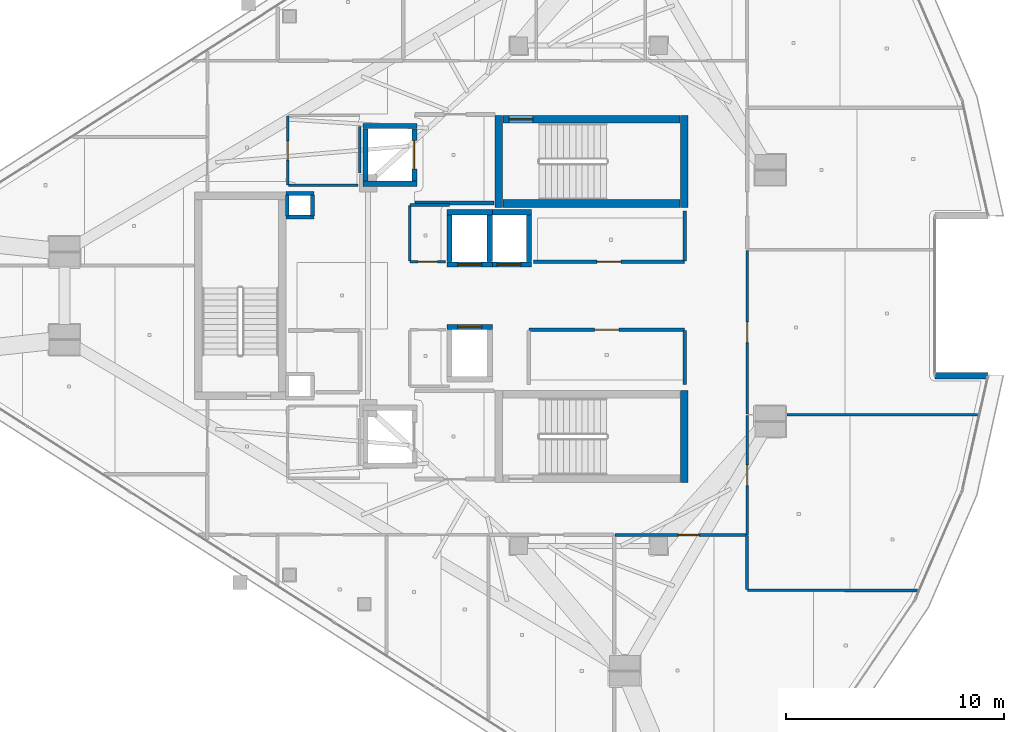
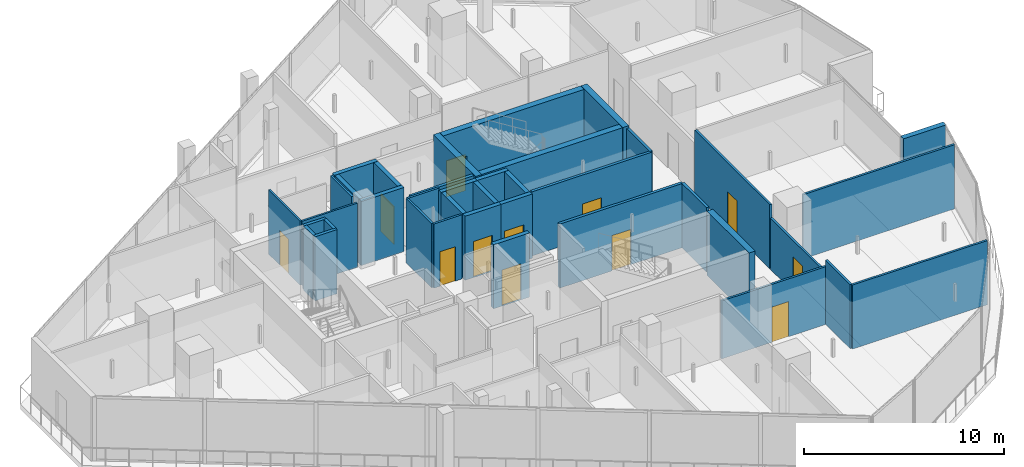
# One storey, part 21 of 29: 39 walls, 12 doors, 12 openings.
"""IFC4 building model written with IfcOpenShell, lengths in metres."""

from ifc_helpers import new_model, si_unit, direction, frame, frame_2d, origin, place, context, subcontext, project, spatial, rectangle, extrude, material, layer, layer_set, type_object, element, fill, save


model = new_model("IFC4")

# Units and contexts
model_context = context("Model", 3, precision=1e-05, world=origin(), true_north=direction((0.0, 1.0)))
body_context = subcontext(model_context, "Body", "Model", "MODEL_VIEW")
ifc_project = project(units=[si_unit("LENGTHUNIT", "METRE"), si_unit("AREAUNIT", "SQUARE_METRE"), si_unit("VOLUMEUNIT", "CUBIC_METRE"), si_unit("PLANEANGLEUNIT", "RADIAN"), si_unit("MASSUNIT", "GRAM", prefix="KILO")], contexts=[model_context])

# Site, building, storey
site_placement = place(None, origin())
site = spatial("IfcSite", under=ifc_project, at=site_placement, CompositionType="ELEMENT")
building_placement = place(site_placement, origin())
building = spatial("IfcBuilding", under=site, at=building_placement, Name="Qorvath Tower", CompositionType="ELEMENT")
storey_placement = place(building_placement, frame((0.0, 0.0, 285.0)))
storey = spatial("IfcBuildingStorey", under=building, at=storey_placement, Name="L66", CompositionType="ELEMENT", Elevation=285.0)

# Walls
ifc_material_1 = material(Name="Gypsum shaftliner on steel studs", Category="steel")
ifc_layer_1 = layer(ifc_material_1, 0.179931640625)
ifc_layer_set_1 = layer_set([ifc_layer_1], Name="FW-LOBBY")
wall_type_1 = type_object("IfcWallType", Name="FW-LOBBY", PredefinedType="PARTITIONING", material=ifc_layer_set_1)
for number, where, z_axis, x_axis, name in (
    (1, (-32.989990234375, 3.594970703125, 0.0), (0.0, 0.0, 1.0), (-1.0, 0.0, 0.0), "MEP Riser Shaft Enclosure Wall N-L66-S"),
    (2, (-34.260009765625, 4.675048828125, 0.0), (0.0, 0.0, 1.0), (1.0, 0.0, 0.0), "MEP Riser Shaft Enclosure Wall N-L66-N"),
):
    element("IfcWall", number, at=place(storey_placement, frame(where, z_axis=z_axis, x_axis=x_axis)), inside=storey, type_object=wall_type_1, Name=name, PredefinedType="PARTITIONING", context=body_context, shape_type="SweptSolid", body=[
        extrude(rectangle(XDim=1.27001953125, YDim=0.179931640625, at=frame_2d((0.635009765625, 0.0))), origin(), (0.0, 0.0, 1.0), 3.909912109375),
    ])
for number, where, z_axis, x_axis, name in (
    (3, (-34.205078125, 3.659912109375, 0.0), (0.0, 0.0, 1.0), (0.0, 1.0, 0.0), "MEP Riser Shaft Enclosure Wall N-L66-W"),
    (4, (-33.044921875, 4.610107421875, 0.0), (0.0, 0.0, 1.0), (0.0, -1.0, 0.0), "MEP Riser Shaft Enclosure Wall N-L66-E"),
):
    element("IfcWall", number, at=place(storey_placement, frame(where, z_axis=z_axis, x_axis=x_axis)), inside=storey, type_object=wall_type_1, Name=name, PredefinedType="PARTITIONING", context=body_context, shape_type="SweptSolid", body=[
        extrude(rectangle(XDim=0.9501953125, YDim=0.179931640625, at=frame_2d((0.47509765625, 0.0))), origin(), (0.0, 0.0, 1.0), 3.909912109375),
    ])
wall_1_placement = place(storey_placement, frame((-28.35498046875, 4.25, 0.0), z_axis=(0.0, 0.0, 1.0), x_axis=(1.0, 0.0, 0.0)))
element("IfcWall", 5, at=wall_1_placement, inside=storey, type_object=wall_type_1, Name="Interior Partition IW-T1-L66-001", PredefinedType="PARTITIONING", context=body_context, shape_type="SweptSolid", body=[
    extrude(rectangle(XDim=3.6220703125, YDim=0.179931640625, at=frame_2d((1.81103515625, 0.0))), origin(), (0.0, 0.0, 1.0), 3.909912109375),
])

# Wall, opening, door
ifc_material_2 = material(Name="Double acoustic gypsum board on steel studs", Category="steel")
ifc_layer_2 = layer(ifc_material_2, 0.159912109375)
ifc_layer_set_2 = layer_set([ifc_layer_2], Name="IW-ACOUSTIC-160")
wall_type_2 = type_object("IfcWallType", Name="IW-ACOUSTIC-160", PredefinedType="PARTITIONING", material=ifc_layer_set_2)
wall_2_placement = place(storey_placement, frame((-22.933837890625, 1.56005859375, 0.0), z_axis=(0.0, 0.0, 1.0), x_axis=(1.0, 0.0, 0.0)))
wall_2 = element("IfcWall", 6, at=wall_2_placement, inside=storey, type_object=wall_type_2, Name="Interior Partition IW-T1-L66-013", PredefinedType="PARTITIONING", context=body_context, shape_type="SweptSolid", body=[
    extrude(rectangle(XDim=6.908935546875, YDim=0.159912109375, at=frame_2d((3.45458984375, 0.0))), origin(), (0.0, 0.0, 1.0), 3.909912109375),
])
opening_1_placement = place(wall_2_placement, frame((2.904541015625, 0.0, 0.0)))
opening_1 = element("IfcOpeningElement", 7, at=opening_1_placement, cuts=wall_2, Name="Opening D-T1-L66-03", PredefinedType="OPENING", context=body_context, shape_type="SweptSolid", body=[
    extrude(rectangle(XDim=1.10009765625, YDim=2.14990234375, at=frame_2d((0.550048828125, 1.074951171875))), frame((0.0, 0.08984375, 0.0), z_axis=(0.0, -1.0, 0.0), x_axis=(1.0, 0.0, 0.0)), (0.0, 0.0, 1.0), 0.179931640625),
])
ifc_material_3 = material(Name="Anodised aluminium acoustic framed glass", Category="aluminium")
door_type_1 = type_object("IfcDoorType", Name="D-03", OperationType="NOTDEFINED", PredefinedType="DOOR", material=ifc_material_3)
door_1_placement = place(opening_1_placement, origin())
door_1 = element("IfcDoor", 8, at=door_1_placement, inside=storey, type_object=door_type_1, Name="L66-RCN North Executive Support Office Door D-T1-L66-03", OperationType="SINGLE_SWING_RIGHT", OverallHeight=2.14990234375, OverallWidth=1.10009765625, PredefinedType="DOOR", context=body_context, shape_type="SweptSolid", body=[
    extrude(rectangle(XDim=1.10009765625, YDim=2.14990234375, at=frame_2d((0.550048828125, 1.074951171875))), frame((0.0, 0.02490234375, 0.0), z_axis=(0.0, -1.0, 0.0), x_axis=(1.0, 0.0, 0.0)), (0.0, 0.0, 1.0), 0.050048828125),
])
fill(opening_1, door_1)

# Walls
wall_3_placement = place(storey_placement, frame((-16.0, 1.585205078125, 0.0), z_axis=(0.0, 0.0, 1.0), x_axis=(0.0, 1.0, 0.0)))
element("IfcWall", 9, at=wall_3_placement, inside=storey, type_object=wall_type_2, Name="Interior Partition IW-T1-L66-014", PredefinedType="PARTITIONING", context=body_context, shape_type="SweptSolid", body=[
    extrude(rectangle(XDim=2.30224609375, YDim=0.159912109375, at=frame_2d((1.151123046875, 0.0))), origin(), (0.0, 0.0, 1.0), 3.909912109375),
])
wall_4_placement = place(storey_placement, frame((-16.0, -4.0751953125, 0.0), z_axis=(0.0, 0.0, 1.0), x_axis=(0.0, 1.0, 0.0)))
element("IfcWall", 10, at=wall_4_placement, inside=storey, type_object=wall_type_2, Name="Interior Partition IW-T1-L66-016", PredefinedType="PARTITIONING", context=body_context, shape_type="SweptSolid", body=[
    extrude(rectangle(XDim=2.489990234375, YDim=0.159912109375, at=frame_2d((1.2451171875, 0.0))), origin(), (0.0, 0.0, 1.0), 3.909912109375),
])

# Wall, opening, door
wall_5_placement = place(storey_placement, frame((-16.02490234375, -1.56005859375, 0.0), z_axis=(0.0, 0.0, 1.0), x_axis=(-1.0, 0.0, 0.0)))
wall_5 = element("IfcWall", 11, at=wall_5_placement, inside=storey, type_object=wall_type_2, Name="Interior Partition IW-T1-L66-017", PredefinedType="PARTITIONING", context=body_context, shape_type="SweptSolid", body=[
    extrude(rectangle(XDim=7.10009765625, YDim=0.159912109375, at=frame_2d((3.550048828125, 0.0))), origin(), (0.0, 0.0, 1.0), 3.909912109375),
])
opening_2_placement = place(wall_5_placement, frame((3.0, 0.0, 0.0)))
opening_2 = element("IfcOpeningElement", 12, at=opening_2_placement, cuts=wall_5, Name="Opening D-T1-L66-04", PredefinedType="OPENING", context=body_context, shape_type="SweptSolid", body=[
    extrude(rectangle(XDim=1.10009765625, YDim=2.14990234375, at=frame_2d((0.550048828125, 1.074951171875))), frame((0.0, 0.08984375, 0.0), z_axis=(0.0, -1.0, 0.0), x_axis=(1.0, 0.0, 0.0)), (0.0, 0.0, 1.0), 0.179931640625),
])
door_2_placement = place(opening_2_placement, origin())
door_2 = element("IfcDoor", 13, at=door_2_placement, inside=storey, type_object=door_type_1, Name="L66-RCS South Executive Support Office Door D-T1-L66-04", OperationType="SINGLE_SWING_LEFT", OverallHeight=2.14990234375, OverallWidth=1.10009765625, PredefinedType="DOOR", context=body_context, shape_type="SweptSolid", body=[
    extrude(rectangle(XDim=1.10009765625, YDim=2.14990234375, at=frame_2d((0.550048828125, 1.074951171875))), frame((0.0, 0.02490234375, 0.0), z_axis=(0.0, -1.0, 0.0), x_axis=(1.0, 0.0, 0.0)), (0.0, 0.0, 1.0), 0.050048828125),
])
fill(opening_2, door_2)

# Wall
ifc_material_4 = material(Name="Gypsum board on metal studs with mineral wool", Category="gypsum")
ifc_layer_3 = layer(ifc_material_4, 0.125)
ifc_layer_set_3 = layer_set([ifc_layer_3], Name="IW-PART-125")
wall_type_3 = type_object("IfcWallType", Name="IW-PART-125", PredefinedType="PARTITIONING", material=ifc_layer_set_3)
wall_6_placement = place(storey_placement, frame((-28.60009765625, 4.125, 0.0), z_axis=(0.0, 0.0, 1.0), x_axis=(0.0, -1.0, 0.0)))
element("IfcWall", 14, at=wall_6_placement, inside=storey, type_object=wall_type_3, Name="Interior Partition IW-T1-L66-018", PredefinedType="PARTITIONING", context=body_context, shape_type="SweptSolid", body=[
    extrude(rectangle(XDim=2.539794921875, YDim=0.125, at=frame_2d((1.27001953125, 0.0))), origin(), (0.0, 0.0, 1.0), 3.909912109375),
])

# Wall, opening, door
wall_7_placement = place(storey_placement, frame((-28.5751953125, 1.56005859375, 0.0), z_axis=(0.0, 0.0, 1.0), x_axis=(1.0, 0.0, 0.0)))
wall_7 = element("IfcWall", 15, at=wall_7_placement, inside=storey, type_object=wall_type_3, Name="Interior Partition IW-T1-L66-019", PredefinedType="PARTITIONING", context=body_context, shape_type="SweptSolid", body=[
    extrude(rectangle(XDim=1.609130859375, YDim=0.125, at=frame_2d((0.8046875, 0.0))), origin(), (0.0, 0.0, 1.0), 3.909912109375),
])
opening_3_placement = place(wall_7_placement, frame((0.364501953125, 0.0, 0.0)))
opening_3 = element("IfcOpeningElement", 16, at=opening_3_placement, cuts=wall_7, Name="Opening D-T1-L66-05", PredefinedType="OPENING", context=body_context, shape_type="SweptSolid", body=[
    extrude(rectangle(XDim=0.8798828125, YDim=2.10009765625, at=frame_2d((0.43994140625, 1.050048828125))), frame((0.0, 0.072509765625, 0.0), z_axis=(0.0, -1.0, 0.0), x_axis=(1.0, 0.0, 0.0)), (0.0, 0.0, 1.0), 0.14501953125),
])
ifc_material_5 = material(Name="Solid-core oak with acoustic drop seal", Category="wood")
door_type_2 = type_object("IfcDoorType", Name="D-02", OperationType="NOTDEFINED", PredefinedType="DOOR", material=ifc_material_5)
door_3_placement = place(opening_3_placement, origin())
door_3 = element("IfcDoor", 17, at=door_3_placement, inside=storey, type_object=door_type_2, Name="L66-RCWN Executive Archive Suite Door D-T1-L66-05", OperationType="SINGLE_SWING_RIGHT", OverallHeight=2.10009765625, OverallWidth=0.8798828125, PredefinedType="DOOR", context=body_context, shape_type="SweptSolid", body=[
    extrude(rectangle(XDim=0.8798828125, YDim=2.10009765625, at=frame_2d((0.43994140625, 1.050048828125))), frame((0.0, 0.02490234375, 0.0), z_axis=(0.0, -1.0, 0.0), x_axis=(1.0, 0.0, 0.0)), (0.0, 0.0, 1.0), 0.050048828125),
])
fill(opening_3, door_3)

# Walls
wall_8_placement = place(storey_placement, frame((-26.77490234375, 4.14990234375, 0.0), z_axis=(0.0, 0.0, 1.0), x_axis=(-1.0, 0.0, 0.0)))
element("IfcWall", 18, at=wall_8_placement, inside=storey, type_object=wall_type_3, Name="Interior Partition IW-T1-L66-020", PredefinedType="PARTITIONING", context=body_context, shape_type="SweptSolid", body=[
    extrude(rectangle(XDim=1.80029296875, YDim=0.125, at=frame_2d((0.900146484375, 0.0))), origin(), (0.0, 0.0, 1.0), 3.909912109375),
])
wall_9_placement = place(storey_placement, frame((-5.35595703125, -13.49658203125, 0.0), z_axis=(0.0, 0.0, 1.0), x_axis=(-0.999998664878, 0.001634087442, 0.0)))
element("IfcWall", 19, at=wall_9_placement, inside=storey, type_object=wall_type_3, Name="Interior Partition IW-T1-L66-045", PredefinedType="PARTITIONING", context=body_context, shape_type="SweptSolid", body=[
    extrude(rectangle(XDim=7.76904296875, YDim=0.125, at=frame_2d((3.884521484375, 0.0))), origin(), (0.0, 0.0, 1.0), 3.909912109375),
])
wall_10_placement = place(storey_placement, frame((-13.14990234375, -13.458984375, 0.0), z_axis=(0.0, 0.0, 1.0), x_axis=(0.0, 1.0, 0.0)))
element("IfcWall", 20, at=wall_10_placement, inside=storey, type_object=wall_type_3, Name="Interior Partition IW-T1-L66-046", PredefinedType="PARTITIONING", context=body_context, shape_type="SweptSolid", body=[
    extrude(rectangle(XDim=2.47607421875, YDim=0.125, at=frame_2d((1.238037109375, 0.0))), origin(), (0.0, 0.0, 1.0), 3.909912109375),
])

# Wall, opening, door
wall_11_placement = place(storey_placement, frame((-13.1748046875, -10.9580078125, 0.0), z_axis=(0.0, 0.0, 1.0), x_axis=(-0.999999486867, 0.001013047539, 0.0)))
wall_11 = element("IfcWall", 21, at=wall_11_placement, inside=storey, type_object=wall_type_3, Name="Interior Partition IW-T1-L66-047", PredefinedType="PARTITIONING", context=body_context, shape_type="SweptSolid", body=[
    extrude(rectangle(XDim=6.02490234375, YDim=0.125, at=frame_2d((3.012451171875, 0.0))), origin(), (0.0, 0.0, 1.0), 3.52880859375),
])
opening_4_placement = place(wall_11_placement, frame((2.175048828125, 0.0, 0.0)))
opening_4 = element("IfcOpeningElement", 22, at=opening_4_placement, cuts=wall_11, Name="Opening D-T1-L66-15", PredefinedType="OPENING", context=body_context, shape_type="SweptSolid", body=[
    extrude(rectangle(XDim=0.949951171875, YDim=2.14990234375, at=frame_2d((0.47509765625, 1.074951171875))), frame((0.0, 0.072509765625, 0.0), z_axis=(0.0, -1.0, 0.0), x_axis=(1.0, 0.0, 0.0)), (0.0, 0.0, 1.0), 0.14501953125),
])
ifc_material_6 = material(Name="Solid-core American white oak veneer", Category="wood")
door_type_3 = type_object("IfcDoorType", Name="D-01", OperationType="NOTDEFINED", PredefinedType="DOOR", material=ifc_material_6)
door_4_placement = place(opening_4_placement, origin())
door_4 = element("IfcDoor", 23, at=door_4_placement, inside=storey, type_object=door_type_3, Name="L66-08 Quantitative Research Studio Door D-T1-L66-15", OperationType="SINGLE_SWING_RIGHT", OverallHeight=2.14990234375, OverallWidth=0.949951171875, PredefinedType="DOOR", context=body_context, shape_type="SweptSolid", body=[
    extrude(rectangle(XDim=0.949951171875, YDim=2.14990234375, at=frame_2d((0.47509765625, 1.074951171875))), frame((0.0, 0.02490234375, 0.0), z_axis=(0.0, -1.0, 0.0), x_axis=(1.0, 0.0, 0.0)), (0.0, 0.0, 1.0), 0.050048828125),
])
fill(opening_4, door_4)

# Wall
wall_12_placement = place(storey_placement, frame((-2.59765625, -5.449951171875, 0.0), z_axis=(0.0, 0.0, 1.0), x_axis=(-1.0, 0.0, 0.0)))
element("IfcWall", 24, at=wall_12_placement, inside=storey, type_object=wall_type_3, Name="Interior Partition IW-T1-L66-048", PredefinedType="PARTITIONING", context=body_context, shape_type="SweptSolid", body=[
    extrude(rectangle(XDim=8.734130859375, YDim=0.125, at=frame_2d((4.3671875, 0.0))), origin(), (0.0, 0.0, 1.0), 3.909912109375),
])

# Wall, opening, door
wall_13_placement = place(storey_placement, frame((-13.14208984375, -5.47509765625, 0.0), z_axis=(0.0, 0.0, 1.0), x_axis=(0.0, -1.0, 0.0)))
wall_13 = element("IfcWall", 25, at=wall_13_placement, inside=storey, type_object=wall_type_3, Name="Interior Partition IW-T1-L66-049", PredefinedType="PARTITIONING", context=body_context, shape_type="SweptSolid", body=[
    extrude(rectangle(XDim=5.48291015625, YDim=0.125, at=frame_2d((2.741455078125, 0.0))), origin(), (0.0, 0.0, 1.0), 3.1298828125),
])
opening_5_placement = place(wall_13_placement, frame((2.266357421875, 0.0, 0.0)))
opening_5 = element("IfcOpeningElement", 26, at=opening_5_placement, cuts=wall_13, Name="Opening D-T1-L66-16", PredefinedType="OPENING", context=body_context, shape_type="SweptSolid", body=[
    extrude(rectangle(XDim=0.949951171875, YDim=2.14990234375, at=frame_2d((0.47509765625, 1.074951171875))), frame((0.0, 0.072509765625, 0.0), z_axis=(0.0, -1.0, 0.0), x_axis=(1.0, 0.0, 0.0)), (0.0, 0.0, 1.0), 0.14501953125),
])
door_5_placement = place(opening_5_placement, origin())
door_5 = element("IfcDoor", 27, at=door_5_placement, inside=storey, type_object=door_type_3, Name="L66-09 Engineering Documentation Suite Door D-T1-L66-16", OperationType="SINGLE_SWING_LEFT", OverallHeight=2.14990234375, OverallWidth=0.949951171875, PredefinedType="DOOR", context=body_context, shape_type="SweptSolid", body=[
    extrude(rectangle(XDim=0.949951171875, YDim=2.14990234375, at=frame_2d((0.47509765625, 1.074951171875))), frame((0.0, 0.02490234375, 0.0), z_axis=(0.0, -1.0, 0.0), x_axis=(1.0, 0.0, 0.0)), (0.0, 0.0, 1.0), 0.050048828125),
])
fill(opening_5, door_5)

wall_14_placement = place(storey_placement, frame((-13.14208984375, 2.07568359375, 0.0), z_axis=(0.0, 0.0, 1.0), x_axis=(0.0, -1.0, 0.0)))
wall_14 = element("IfcWall", 28, at=wall_14_placement, inside=storey, type_object=wall_type_3, Name="Interior Partition IW-T1-L66-051", PredefinedType="PARTITIONING", context=body_context, shape_type="SweptSolid", body=[
    extrude(rectangle(XDim=7.49267578125, YDim=0.125, at=frame_2d((3.746337890625, 0.0))), origin(), (0.0, 0.0, 1.0), 3.909912109375),
])
opening_6_placement = place(wall_14_placement, frame((3.271240234375, 0.0, 0.0)))
opening_6 = element("IfcOpeningElement", 29, at=opening_6_placement, cuts=wall_14, Name="Opening D-T1-L66-17", PredefinedType="OPENING", context=body_context, shape_type="SweptSolid", body=[
    extrude(rectangle(XDim=0.949951171875, YDim=2.14990234375, at=frame_2d((0.47509765625, 1.074951171875))), frame((0.0, 0.072509765625, 0.0), z_axis=(0.0, -1.0, 0.0), x_axis=(1.0, 0.0, 0.0)), (0.0, 0.0, 1.0), 0.14501953125),
])
door_6_placement = place(opening_6_placement, origin())
door_6 = element("IfcDoor", 30, at=door_6_placement, inside=storey, type_object=door_type_3, Name="L66-10 Open Workplace Studio Door D-T1-L66-17", OperationType="SINGLE_SWING_RIGHT", OverallHeight=2.14990234375, OverallWidth=0.949951171875, PredefinedType="DOOR", context=body_context, shape_type="SweptSolid", body=[
    extrude(rectangle(XDim=0.949951171875, YDim=2.14990234375, at=frame_2d((0.47509765625, 1.074951171875))), frame((0.0, 0.02490234375, 0.0), z_axis=(0.0, -1.0, 0.0), x_axis=(1.0, 0.0, 0.0)), (0.0, 0.0, 1.0), 0.050048828125),
])
fill(opening_6, door_6)

ifc_material_7 = material(Name="Moisture-resistant cement board on metal studs", Category="gypsum")
ifc_layer_4 = layer(ifc_material_7, 0.110107421875)
ifc_layer_set_4 = layer_set([ifc_layer_4], Name="IW-WC-110")
wall_type_4 = type_object("IfcWallType", Name="IW-WC-110", PredefinedType="PARTITIONING", material=ifc_layer_set_4)
wall_15_placement = place(storey_placement, frame((-34.179931640625, 8.22509765625, 0.0), z_axis=(0.0, 0.0, 1.0), x_axis=(0.0, -1.0, 0.0)))
wall_15 = element("IfcWall", 31, at=wall_15_placement, inside=storey, type_object=wall_type_4, Name="Interior Partition IW-T1-L66-005", PredefinedType="PARTITIONING", context=body_context, shape_type="SweptSolid", body=[
    extrude(rectangle(XDim=3.150146484375, YDim=0.110107421875, at=frame_2d((1.5751953125, 0.0))), origin(), (0.0, 0.0, 1.0), 3.909912109375),
])
opening_7_placement = place(wall_15_placement, frame((1.135009765625, 0.0, 0.0)))
opening_7 = element("IfcOpeningElement", 32, at=opening_7_placement, cuts=wall_15, Name="Opening D-T1-L66-01", PredefinedType="OPENING", context=body_context, shape_type="SweptSolid", body=[
    extrude(rectangle(XDim=0.8798828125, YDim=2.10009765625, at=frame_2d((0.43994140625, 1.050048828125))), frame((0.0, 0.06494140625, 0.0), z_axis=(0.0, -1.0, 0.0), x_axis=(1.0, 0.0, 0.0)), (0.0, 0.0, 1.0), 0.130126953125),
])
door_7_placement = place(opening_7_placement, origin())
door_7 = element("IfcDoor", 33, at=door_7_placement, inside=storey, type_object=door_type_2, Name="Accessible WC North L66 Door D-T1-L66-01", OperationType="SINGLE_SWING_RIGHT", OverallHeight=2.10009765625, OverallWidth=0.8798828125, PredefinedType="DOOR", context=body_context, shape_type="SweptSolid", body=[
    extrude(rectangle(XDim=0.8798828125, YDim=2.10009765625, at=frame_2d((0.43994140625, 1.050048828125))), frame((0.0, 0.02490234375, 0.0), z_axis=(0.0, -1.0, 0.0), x_axis=(1.0, 0.0, 0.0)), (0.0, 0.0, 1.0), 0.050048828125),
])
fill(opening_7, door_7)

# Walls
wall_16_placement = place(storey_placement, frame((-34.15478515625, 5.050048828125, 0.0), z_axis=(0.0, 0.0, 1.0), x_axis=(1.0, 0.0, 0.0)))
element("IfcWall", 34, at=wall_16_placement, inside=storey, type_object=wall_type_4, Name="Interior Partition IW-T1-L66-006", PredefinedType="PARTITIONING", context=body_context, shape_type="SweptSolid", body=[
    extrude(rectangle(XDim=3.189697265625, YDim=0.110107421875, at=frame_2d((1.5947265625, 0.0))), origin(), (0.0, 0.0, 1.0), 3.909912109375),
])
wall_17_placement = place(storey_placement, frame((-30.8798828125, 5.614990234375, 0.0), z_axis=(0.0, 0.0, 1.0), x_axis=(0.0, 1.0, 0.0)))
element("IfcWall", 35, at=wall_17_placement, inside=storey, type_object=wall_type_4, Name="Interior Partition IW-T1-L66-007", PredefinedType="PARTITIONING", context=body_context, shape_type="SweptSolid", body=[
    extrude(rectangle(XDim=2.1279296875, YDim=0.110107421875, at=frame_2d((1.06396484375, 0.0))), origin(), (0.0, 0.0, 1.0), 3.909912109375),
])
ifc_material_8 = material(Name="Concrete C60/75", Category="concrete")
ifc_layer_5 = layer(ifc_material_8, 0.260009765625)
ifc_layer_set_5 = layer_set([ifc_layer_5], Name="SW-SHAFT")
wall_type_5 = type_object("IfcWallType", Name="SW-SHAFT", PredefinedType="SHEAR", material=ifc_layer_set_5)
for number, where, z_axis, x_axis, name in (
    (36, (-28.260009765625, 5.1298828125, 0.0), (0.0, 0.0, 1.0), (-1.0, 0.0, 0.0), "Hoistway Wall FSAE-1 L66 S"),
    (37, (-30.739990234375, 7.77001953125, 0.0), (0.0, 0.0, 1.0), (1.0, 0.0, 0.0), "Hoistway Wall FSAE-1 L66 N"),
):
    element("IfcWall", number, at=place(storey_placement, frame(where, z_axis=z_axis, x_axis=x_axis)), inside=storey, type_object=wall_type_5, Name=name, PredefinedType="SHEAR", context=body_context, shape_type="SweptSolid", body=[
        extrude(rectangle(XDim=2.47998046875, YDim=0.239990234375, at=frame_2d((1.239990234375, 0.0))), origin(), (0.0, 0.0, 1.0), 3.909912109375),
    ])
wall_18_placement = place(storey_placement, frame((-30.6201171875, 5.261962890625, 0.0), z_axis=(0.0, 0.0, 1.0), x_axis=(0.0, 1.0, 0.0)))
element("IfcWall", 38, at=wall_18_placement, inside=storey, type_object=wall_type_5, Name="Hoistway Wall FSAE-1 L66 W", PredefinedType="SHEAR", context=body_context, shape_type="SweptSolid", body=[
    extrude(rectangle(XDim=2.3759765625, YDim=0.239990234375, at=frame_2d((1.18798828125, 0.0))), origin(), (0.0, 0.0, 1.0), 3.909912109375),
])

# Wall, opening, door
wall_19_placement = place(storey_placement, frame((-28.3798828125, 7.637939453125, 0.0), z_axis=(0.0, 0.0, 1.0), x_axis=(0.0, -1.0, 0.0)))
wall_19 = element("IfcWall", 39, at=wall_19_placement, inside=storey, type_object=wall_type_5, Name="Hoistway Wall FSAE-1 L66 E", PredefinedType="SHEAR", context=body_context, shape_type="SweptSolid", body=[
    extrude(rectangle(XDim=2.3759765625, YDim=0.239990234375, at=frame_2d((1.18798828125, 0.0))), origin(), (0.0, 0.0, 1.0), 3.909912109375),
])
opening_8_placement = place(wall_19_placement, frame((0.537841796875, 0.0, 0.0)))
opening_8 = element("IfcOpeningElement", 40, at=opening_8_placement, cuts=wall_19, Name="Opening LD-FSAE-1-L66", PredefinedType="OPENING", context=body_context, shape_type="SweptSolid", body=[
    extrude(rectangle(XDim=1.300048828125, YDim=2.300048828125, at=frame_2d((0.64990234375, 1.14990234375))), frame((0.0, 0.1298828125, 0.0), z_axis=(0.0, -1.0, 0.0), x_axis=(1.0, 0.0, 0.0)), (0.0, 0.0, 1.0), 0.260009765625),
])
ifc_material_9 = material(Name="Brushed stainless steel AISI 316", Category="steel")
door_type_4 = type_object("IfcDoorType", Name="LD-02", OperationType="NOTDEFINED", PredefinedType="DOOR", material=ifc_material_9)
door_8_placement = place(opening_8_placement, origin())
door_8 = element("IfcDoor", 41, at=door_8_placement, inside=storey, type_object=door_type_4, Name="Elevator Landing Sliding Door LD-FSAE-1-L66", OperationType="DOUBLE_DOOR_SLIDING", OverallHeight=2.300048828125, OverallWidth=1.300048828125, PredefinedType="DOOR", context=body_context, shape_type="SweptSolid", body=[
    extrude(rectangle(XDim=1.300048828125, YDim=2.300048828125, at=frame_2d((0.64990234375, 1.14990234375))), frame((0.0, 0.02490234375, 0.0), z_axis=(0.0, -1.0, 0.0), x_axis=(1.0, 0.0, 0.0)), (0.0, 0.0, 1.0), 0.050048828125),
])
fill(opening_8, door_8)

wall_20_placement = place(storey_placement, frame((-24.81005859375, 1.429931640625, 0.0), z_axis=(0.0, 0.0, 1.0), x_axis=(-1.0, 0.0, 0.0)))
wall_20 = element("IfcWall", 42, at=wall_20_placement, inside=storey, type_object=wall_type_5, Name="Hoistway Wall PH-1 L66 S", PredefinedType="SHEAR", context=body_context, shape_type="SweptSolid", body=[
    extrude(rectangle(XDim=2.079833984375, YDim=0.239990234375, at=frame_2d((1.0400390625, 0.0))), origin(), (0.0, 0.0, 1.0), 3.909912109375),
])
opening_9_placement = place(wall_20_placement, frame((0.489990234375, 0.0, 0.0)))
opening_9 = element("IfcOpeningElement", 43, at=opening_9_placement, cuts=wall_20, Name="Opening LD-PH-1-L66", PredefinedType="OPENING", context=body_context, shape_type="SweptSolid", body=[
    extrude(rectangle(XDim=1.10009765625, YDim=2.199951171875, at=frame_2d((0.550048828125, 1.10009765625))), frame((0.0, 0.1298828125, 0.0), z_axis=(0.0, -1.0, 0.0), x_axis=(1.0, 0.0, 0.0)), (0.0, 0.0, 1.0), 0.260009765625),
])
ifc_material_10 = material(Name="Brushed stainless steel AISI 316", Category="steel")
door_type_5 = type_object("IfcDoorType", Name="LD-01", OperationType="NOTDEFINED", PredefinedType="DOOR", material=ifc_material_10)
door_9_placement = place(opening_9_placement, origin())
door_9 = element("IfcDoor", 44, at=door_9_placement, inside=storey, type_object=door_type_5, Name="Elevator Landing Sliding Door LD-PH-1-L66", OperationType="DOUBLE_DOOR_SLIDING", OverallHeight=2.199951171875, OverallWidth=1.10009765625, PredefinedType="DOOR", context=body_context, shape_type="SweptSolid", body=[
    extrude(rectangle(XDim=1.10009765625, YDim=2.199951171875, at=frame_2d((0.550048828125, 1.10009765625))), frame((0.0, 0.02490234375, 0.0), z_axis=(0.0, -1.0, 0.0), x_axis=(1.0, 0.0, 0.0)), (0.0, 0.0, 1.0), 0.050048828125),
])
fill(opening_9, door_9)

# Walls
wall_21_placement = place(storey_placement, frame((-26.889892578125, 3.820068359375, 0.0), z_axis=(0.0, 0.0, 1.0), x_axis=(1.0, 0.0, 0.0)))
element("IfcWall", 45, at=wall_21_placement, inside=storey, type_object=wall_type_5, Name="Hoistway Wall PH-1 L66 N", PredefinedType="SHEAR", context=body_context, shape_type="SweptSolid", body=[
    extrude(rectangle(XDim=2.079833984375, YDim=0.239990234375, at=frame_2d((1.0400390625, 0.0))), origin(), (0.0, 0.0, 1.0), 3.909912109375),
])
for number, where, z_axis, x_axis, name in (
    (46, (-26.77001953125, 1.56201171875, 0.0), (0.0, 0.0, 1.0), (0.0, 1.0, 0.0), "Hoistway Wall PH-1 L66 W"),
    (47, (-24.929931640625, 3.68798828125, 0.0), (0.0, 0.0, 1.0), (0.0, -1.0, 0.0), "Hoistway Wall PH-1 L66 E"),
):
    element("IfcWall", number, at=place(storey_placement, frame(where, z_axis=z_axis, x_axis=x_axis)), inside=storey, type_object=wall_type_5, Name=name, PredefinedType="SHEAR", context=body_context, shape_type="SweptSolid", body=[
        extrude(rectangle(XDim=2.1259765625, YDim=0.239990234375, at=frame_2d((1.06298828125, 0.0))), origin(), (0.0, 0.0, 1.0), 3.909912109375),
    ])

# Wall, opening, door
wall_22_placement = place(storey_placement, frame((-23.010009765625, 1.429931640625, 0.0), z_axis=(0.0, 0.0, 1.0), x_axis=(-1.0, 0.0, 0.0)))
wall_22 = element("IfcWall", 48, at=wall_22_placement, inside=storey, type_object=wall_type_5, Name="Hoistway Wall PH-2 L66 S", PredefinedType="SHEAR", context=body_context, shape_type="SweptSolid", body=[
    extrude(rectangle(XDim=1.800048828125, YDim=0.239990234375, at=frame_2d((0.89990234375, 0.0))), origin(), (0.0, 0.0, 1.0), 3.909912109375),
])
opening_10_placement = place(wall_22_placement, frame((0.489990234375, 0.0, 0.0)))
opening_10 = element("IfcOpeningElement", 49, at=opening_10_placement, cuts=wall_22, Name="Opening LD-PH-2-L66", PredefinedType="OPENING", context=body_context, shape_type="SweptSolid", body=[
    extrude(rectangle(XDim=1.10009765625, YDim=2.199951171875, at=frame_2d((0.550048828125, 1.10009765625))), frame((0.0, 0.1298828125, 0.0), z_axis=(0.0, -1.0, 0.0), x_axis=(1.0, 0.0, 0.0)), (0.0, 0.0, 1.0), 0.260009765625),
])
door_10_placement = place(opening_10_placement, origin())
door_10 = element("IfcDoor", 50, at=door_10_placement, inside=storey, type_object=door_type_5, Name="Elevator Landing Sliding Door LD-PH-2-L66", OperationType="DOUBLE_DOOR_SLIDING", OverallHeight=2.199951171875, OverallWidth=1.10009765625, PredefinedType="DOOR", context=body_context, shape_type="SweptSolid", body=[
    extrude(rectangle(XDim=1.10009765625, YDim=2.199951171875, at=frame_2d((0.550048828125, 1.10009765625))), frame((0.0, 0.02490234375, 0.0), z_axis=(0.0, -1.0, 0.0), x_axis=(1.0, 0.0, 0.0)), (0.0, 0.0, 1.0), 0.050048828125),
])
fill(opening_10, door_10)

# Walls
wall_23_placement = place(storey_placement, frame((-24.81005859375, 3.820068359375, 0.0), z_axis=(0.0, 0.0, 1.0), x_axis=(1.0, 0.0, 0.0)))
element("IfcWall", 51, at=wall_23_placement, inside=storey, type_object=wall_type_5, Name="Hoistway Wall PH-2 L66 N", PredefinedType="SHEAR", context=body_context, shape_type="SweptSolid", body=[
    extrude(rectangle(XDim=1.800048828125, YDim=0.239990234375, at=frame_2d((0.89990234375, 0.0))), origin(), (0.0, 0.0, 1.0), 3.909912109375),
])
wall_24_placement = place(storey_placement, frame((-23.1298828125, 3.68798828125, 0.0), z_axis=(0.0, 0.0, 1.0), x_axis=(0.0, -1.0, 0.0)))
element("IfcWall", 52, at=wall_24_placement, inside=storey, type_object=wall_type_5, Name="Hoistway Wall PH-2 L66 E", PredefinedType="SHEAR", context=body_context, shape_type="SweptSolid", body=[
    extrude(rectangle(XDim=2.1259765625, YDim=0.239990234375, at=frame_2d((1.06298828125, 0.0))), origin(), (0.0, 0.0, 1.0), 3.909912109375),
])

# Wall, opening, door
wall_25_placement = place(storey_placement, frame((-26.889892578125, -1.429931640625, 0.0), z_axis=(0.0, 0.0, 1.0), x_axis=(1.0, 0.0, 0.0)))
wall_25 = element("IfcWall", 53, at=wall_25_placement, inside=storey, type_object=wall_type_5, Name="Hoistway Wall PH-3 L66 N", PredefinedType="SHEAR", context=body_context, shape_type="SweptSolid", body=[
    extrude(rectangle(XDim=2.079833984375, YDim=0.239990234375, at=frame_2d((1.0400390625, 0.0))), origin(), (0.0, 0.0, 1.0), 3.909912109375),
])
opening_11_placement = place(wall_25_placement, frame((0.48974609375, 0.0, 0.0)))
opening_11 = element("IfcOpeningElement", 54, at=opening_11_placement, cuts=wall_25, Name="Opening LD-PH-3-L66", PredefinedType="OPENING", context=body_context, shape_type="SweptSolid", body=[
    extrude(rectangle(XDim=1.10009765625, YDim=2.199951171875, at=frame_2d((0.550048828125, 1.10009765625))), frame((0.0, 0.1298828125, 0.0), z_axis=(0.0, -1.0, 0.0), x_axis=(1.0, 0.0, 0.0)), (0.0, 0.0, 1.0), 0.260009765625),
])
door_11_placement = place(opening_11_placement, origin())
door_11 = element("IfcDoor", 55, at=door_11_placement, inside=storey, type_object=door_type_5, Name="Elevator Landing Sliding Door LD-PH-3-L66", OperationType="DOUBLE_DOOR_SLIDING", OverallHeight=2.199951171875, OverallWidth=1.10009765625, PredefinedType="DOOR", context=body_context, shape_type="SweptSolid", body=[
    extrude(rectangle(XDim=1.10009765625, YDim=2.199951171875, at=frame_2d((0.550048828125, 1.10009765625))), frame((0.0, 0.02490234375, 0.0), z_axis=(0.0, -1.0, 0.0), x_axis=(1.0, 0.0, 0.0)), (0.0, 0.0, 1.0), 0.050048828125),
])
fill(opening_11, door_11)

# Walls
ifc_material_11 = material(Name="Concrete C60/75", Category="concrete")
ifc_layer_6 = layer(ifc_material_11, 0.35009765625)
ifc_layer_set_6 = layer_set([ifc_layer_6], Name="SW-STAIR")
wall_type_6 = type_object("IfcWallType", Name="SW-STAIR", PredefinedType="SHEAR", material=ifc_layer_set_6)
for number, where, z_axis, x_axis, name in (
    (56, (-24.52490234375, 8.260009765625, 0.0), (0.0, 0.0, 1.0), (0.0, -1.0, 0.0), "Stair TS1 Shear Wall L66 NEAR"),
    (57, (-16.02490234375, 4.050048828125, 0.0), (0.0, 0.0, 1.0), (0.0, 1.0, 0.0), "Stair TS1 Shear Wall L66 FAR"),
):
    element("IfcWall", number, at=place(storey_placement, frame(where, z_axis=z_axis, x_axis=x_axis)), inside=storey, type_object=wall_type_6, Name=name, PredefinedType="SHEAR", context=body_context, shape_type="SweptSolid", body=[
        extrude(rectangle(XDim=4.2099609375, YDim=0.35009765625, at=frame_2d((2.10498046875, 0.0))), origin(), (0.0, 0.0, 1.0), 3.909912109375),
    ])
wall_26_placement = place(storey_placement, frame((-24.3349609375, 4.22509765625, 0.0), z_axis=(0.0, 0.0, 1.0), x_axis=(1.0, 0.0, 0.0)))
element("IfcWall", 58, at=wall_26_placement, inside=storey, type_object=wall_type_6, Name="Stair TS1 Shear Wall L66 LEFT", PredefinedType="SHEAR", context=body_context, shape_type="SweptSolid", body=[
    extrude(rectangle(XDim=8.119873046875, YDim=0.35009765625, at=frame_2d((4.06005859375, 0.0))), origin(), (0.0, 0.0, 1.0), 3.909912109375),
])

# Wall, opening, door
wall_27_placement = place(storey_placement, frame((-16.215087890625, 8.0849609375, 0.0), z_axis=(0.0, 0.0, 1.0), x_axis=(-1.0, 0.0, 0.0)))
wall_27 = element("IfcWall", 59, at=wall_27_placement, inside=storey, type_object=wall_type_6, Name="Stair TS1 Shear Wall L66 RIGHT", PredefinedType="SHEAR", context=body_context, shape_type="SweptSolid", body=[
    extrude(rectangle(XDim=8.119873046875, YDim=0.35009765625, at=frame_2d((4.06005859375, 0.0))), origin(), (0.0, 0.0, 1.0), 3.909912109375),
])
opening_12_placement = place(wall_27_placement, frame((6.739990234375, 0.0, 0.0)))
opening_12 = element("IfcOpeningElement", 60, at=opening_12_placement, cuts=wall_27, Name="Opening D-TS1-L66", PredefinedType="OPENING", context=body_context, shape_type="SweptSolid", body=[
    extrude(rectangle(XDim=1.10009765625, YDim=2.199951171875, at=frame_2d((0.550048828125, 1.10009765625))), frame((0.0, 0.18505859375, 0.0), z_axis=(0.0, -1.0, 0.0), x_axis=(1.0, 0.0, 0.0)), (0.0, 0.0, 1.0), 0.3701171875),
])
ifc_material_12 = material(Name="Painted galvanised hollow metal", Category="steel")
door_type_6 = type_object("IfcDoorType", Name="FD-90", OperationType="NOTDEFINED", PredefinedType="DOOR", material=ifc_material_12)
door_12_placement = place(opening_12_placement, origin())
door_12 = element("IfcDoor", 61, at=door_12_placement, inside=storey, type_object=door_type_6, Name="Stair TS1 Fire Door L66", OperationType="SINGLE_SWING_LEFT", OverallHeight=2.199951171875, OverallWidth=1.10009765625, PredefinedType="DOOR", context=body_context, shape_type="SweptSolid", body=[
    extrude(rectangle(XDim=1.10009765625, YDim=2.199951171875, at=frame_2d((0.550048828125, 1.10009765625))), frame((0.0, 0.02490234375, 0.0), z_axis=(0.0, -1.0, 0.0), x_axis=(1.0, 0.0, 0.0)), (0.0, 0.0, 1.0), 0.050048828125),
])
fill(opening_12, door_12)

# Walls
wall_28_placement = place(storey_placement, frame((-16.02490234375, -8.550048828125, 0.0), z_axis=(0.0, 0.0, 1.0), x_axis=(0.0, 1.0, 0.0)))
element("IfcWall", 62, at=wall_28_placement, inside=storey, type_object=wall_type_6, Name="Stair TS2 Shear Wall L66 FAR", PredefinedType="SHEAR", context=body_context, shape_type="SweptSolid", body=[
    extrude(rectangle(XDim=4.2099609375, YDim=0.35009765625, at=frame_2d((2.10498046875, 0.0))), origin(), (0.0, 0.0, 1.0), 3.909912109375),
])
ifc_material_13 = material(Name="Precast concrete C45/55", Category="concrete")
ifc_layer_7 = layer(ifc_material_13, 0.300048828125)
ifc_layer_set_7 = layer_set([ifc_layer_7], Name="WL-EW-LOG-300")
wall_type_7 = type_object("IfcWallType", Name="WL-EW-LOG-300", PredefinedType="SOLIDWALL", material=ifc_layer_set_7)
wall_29_placement = place(storey_placement, frame((-2.11474609375, -3.65576171875, 0.0), z_axis=(0.0, 0.0, 1.0), x_axis=(-1.0, 0.0, 0.0)))
element("IfcWall", 63, at=wall_29_placement, inside=storey, type_object=wall_type_7, Name="Tower Precast Loggia Wall L66-8.1", PredefinedType="SOLIDWALL", context=body_context, shape_type="SweptSolid", body=[
    extrude(rectangle(XDim=2.437255859375, YDim=0.300048828125, at=frame_2d((1.21875, 0.0))), origin(), (0.0, 0.0, 1.0), 3.909912109375),
])

save(model, "model.ifc")
